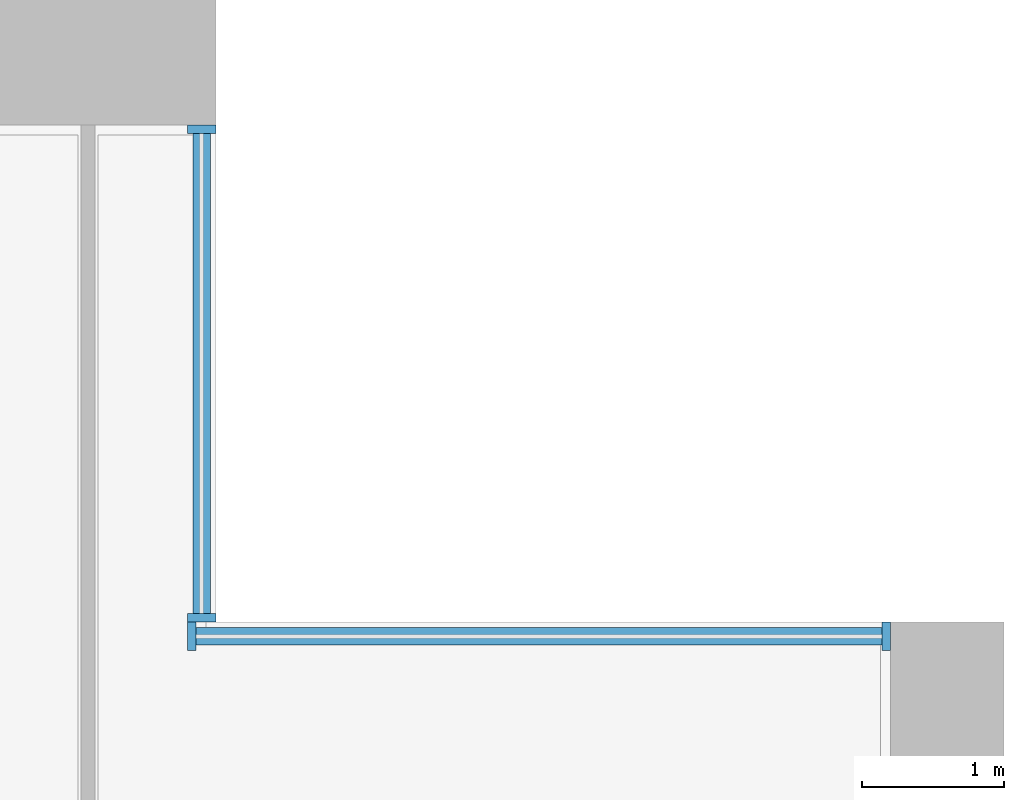
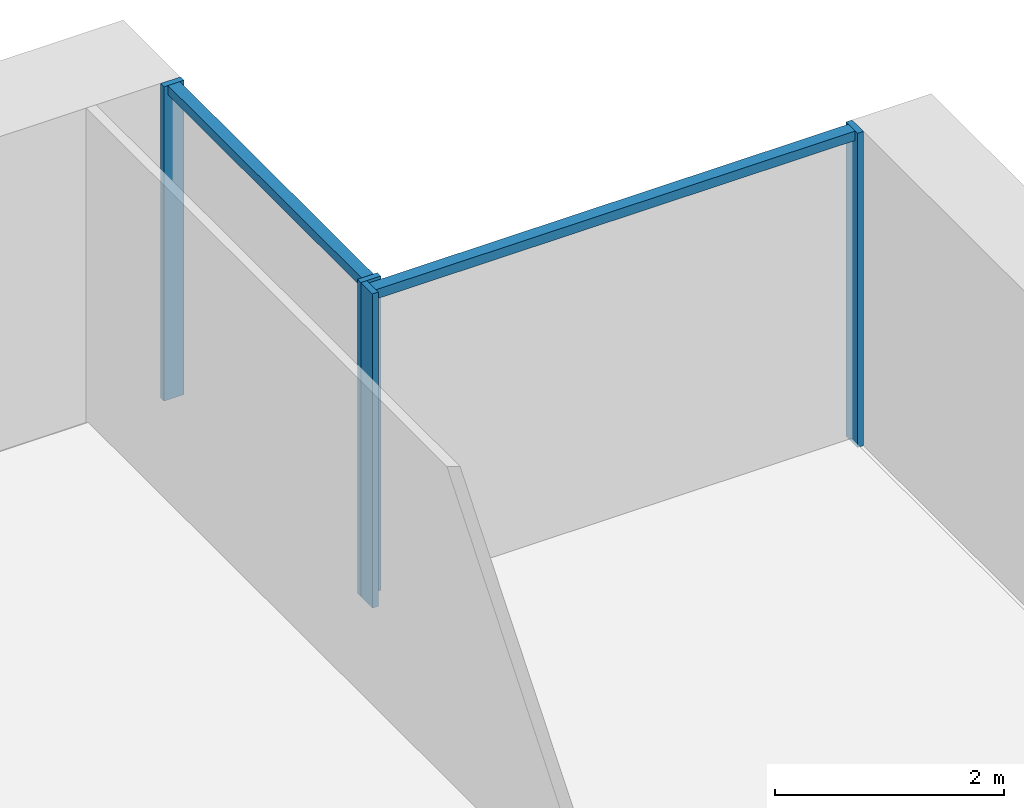
# One storey, part 6 of 18: 6 members, 2 elements without a shape of their own.
"""IFC4 building model written with IfcOpenShell, lengths in metres."""

from ifc_helpers import new_model, si_unit, direction, frame, origin, origin_2d, place, context, subcontext, project, spatial, rectangle, extrude, material, material_profile, profile_set, type_object, element, aggregate, save


model = new_model("IFC4")

# Units and contexts
model_context = context("Model", 3, precision=1e-05, world=origin(), true_north=direction((0.0, 1.0)))
body_context = subcontext(model_context, "Body", "Model", "MODEL_VIEW")
ifc_project = project(units=[si_unit("LENGTHUNIT", "METRE"), si_unit("AREAUNIT", "SQUARE_METRE"), si_unit("VOLUMEUNIT", "CUBIC_METRE"), si_unit("PLANEANGLEUNIT", "RADIAN"), si_unit("MASSUNIT", "GRAM", prefix="KILO")], contexts=[model_context])

# Site, building, storey
site_placement = place(None, origin())
site = spatial("IfcSite", under=ifc_project, at=site_placement, CompositionType="ELEMENT")
building_placement = place(site_placement, origin())
building = spatial("IfcBuilding", under=site, at=building_placement, Name="Calvaro Tower", CompositionType="ELEMENT")
storey_placement = place(building_placement, frame((0.0, 0.0, 82.5)))
storey = spatial("IfcBuildingStorey", under=building, at=storey_placement, Name="L20", CompositionType="ELEMENT", Elevation=82.5)

# Curtain wall, members
ifc_material_1 = material(Name="Anodised aluminium", Category="aluminium")
curtain_wall_type = type_object("IfcCurtainWallType", Name="Office curtain wall, lower zone", PredefinedType="NOTDEFINED", material=ifc_material_1)
curtain_wall_1_placement = place(storey_placement, origin())
curtain_wall_1 = element("IfcCurtainWall", 1, at=curtain_wall_1_placement, inside=storey, type_object=curtain_wall_type, Name="CW1 corner curtain wall", PredefinedType="NOTDEFINED")
ifc_material_2 = material(Name="Anodised aluminium", Category="aluminium")
ifc_material_profile_1 = material_profile(ifc_material_2, rectangle(XDim=0.199951171875, YDim=0.06005859375, at=origin_2d()), Name="Mullion S1 60 x 200")
ifc_profile_set_1 = profile_set([ifc_material_profile_1], Name="Anodised aluminium")
member_type_1 = type_object("IfcMemberType", Name="Mullion S1 60 x 200", PredefinedType="MULLION", material=ifc_profile_set_1)
member_1_placement = place(storey_placement, frame((72.35009765625, 41.530029296875, 0.0), z_axis=(0.0, 0.0, 1.0), x_axis=(-1.0, 0.0, 0.0)))
member_1 = element("IfcMember", 2, at=member_1_placement, type_object=member_type_1, Name="CW1 mullion 1", PredefinedType="MULLION", context=body_context, shape_type="SweptSolid", body=[
    extrude(rectangle(XDim=0.199951171875, YDim=0.06005859375, at=origin_2d()), origin(), (0.0, 0.0, 1.0), 3.35009765625),
])
member_2_placement = place(storey_placement, frame((72.35009765625, 44.969970703125, 0.0), z_axis=(0.0, 0.0, 1.0), x_axis=(-1.0, 0.0, 0.0)))
member_2 = element("IfcMember", 3, at=member_2_placement, type_object=member_type_1, Name="CW1 mullion 2", PredefinedType="MULLION", context=body_context, shape_type="SweptSolid", body=[
    extrude(rectangle(XDim=0.199951171875, YDim=0.06005859375, at=origin_2d()), origin(), (0.0, 0.0, 1.0), 3.35009765625),
])

curtain_wall_2_placement = place(storey_placement, origin())
curtain_wall_2 = element("IfcCurtainWall", 4, at=curtain_wall_2_placement, inside=storey, type_object=curtain_wall_type, Name="CW1 corner curtain wall", PredefinedType="NOTDEFINED")
member_3_placement = place(storey_placement, frame((72.280029296875, 41.39990234375, 0.0), z_axis=(0.0, 0.0, 1.0), x_axis=(0.0, 1.0, 0.0)))
member_3 = element("IfcMember", 5, at=member_3_placement, type_object=member_type_1, Name="CW1 mullion 1", PredefinedType="MULLION", context=body_context, shape_type="SweptSolid", body=[
    extrude(rectangle(XDim=0.199951171875, YDim=0.06005859375, at=origin_2d()), origin(), (0.0, 0.0, 1.0), 3.35009765625),
])
member_4_placement = place(storey_placement, frame((77.169921875, 41.39990234375, 0.0), z_axis=(0.0, 0.0, 1.0), x_axis=(0.0, 1.0, 0.0)))
member_4 = element("IfcMember", 6, at=member_4_placement, type_object=member_type_1, Name="CW1 mullion 2", PredefinedType="MULLION", context=body_context, shape_type="SweptSolid", body=[
    extrude(rectangle(XDim=0.199951171875, YDim=0.06005859375, at=origin_2d()), origin(), (0.0, 0.0, 1.0), 3.35009765625),
])

# Member
ifc_material_3 = material(Name="Anodised aluminium", Category="aluminium")
ifc_material_profile_2 = material_profile(ifc_material_3, rectangle(XDim=0.1201171875, YDim=0.10009765625, at=origin_2d()), Name="Transom S1 100 x 120")
ifc_profile_set_2 = profile_set([ifc_material_profile_2], Name="Anodised aluminium")
member_type_2 = type_object("IfcMemberType", Name="Transom S1 100 x 120", PredefinedType="USERDEFINED", material=ifc_profile_set_2)
member_5_placement = place(storey_placement, frame((72.35009765625, 41.56005859375, 3.300048828125), z_axis=(0.0, 1.0, 0.0), x_axis=(-1.0, 0.0, 0.0)))
member_5 = element("IfcMember", 7, at=member_5_placement, type_object=member_type_2, Name="CW1 transom 1.1", ObjectType="TRANSOM", PredefinedType="USERDEFINED", context=body_context, shape_type="SweptSolid", body=[
    extrude(rectangle(XDim=0.1201171875, YDim=0.10009765625, at=origin_2d()), origin(), (0.0, 0.0, 1.0), 3.3798828125),
])

aggregate(curtain_wall_1, [member_1, member_2, member_5])

member_6_placement = place(storey_placement, frame((72.31005859375, 41.39990234375, 3.300048828125), z_axis=(1.0, 0.0, 0.0), x_axis=(0.0, 1.0, 0.0)))
member_6 = element("IfcMember", 8, at=member_6_placement, type_object=member_type_2, Name="CW1 transom 1.1", ObjectType="TRANSOM", PredefinedType="USERDEFINED", context=body_context, shape_type="SweptSolid", body=[
    extrude(rectangle(XDim=0.1201171875, YDim=0.10009765625, at=origin_2d()), origin(), (0.0, 0.0, 1.0), 4.829833984375),
])

aggregate(curtain_wall_2, [member_3, member_4, member_6])

save(model, "model.ifc")
